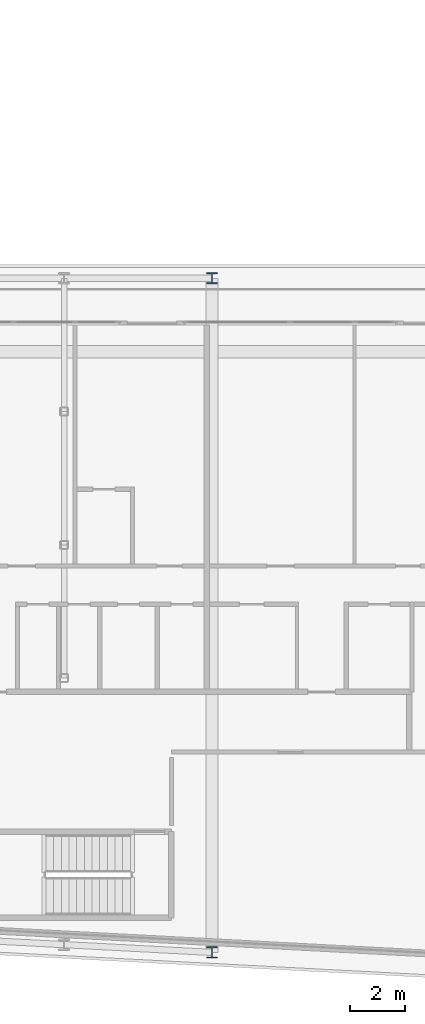
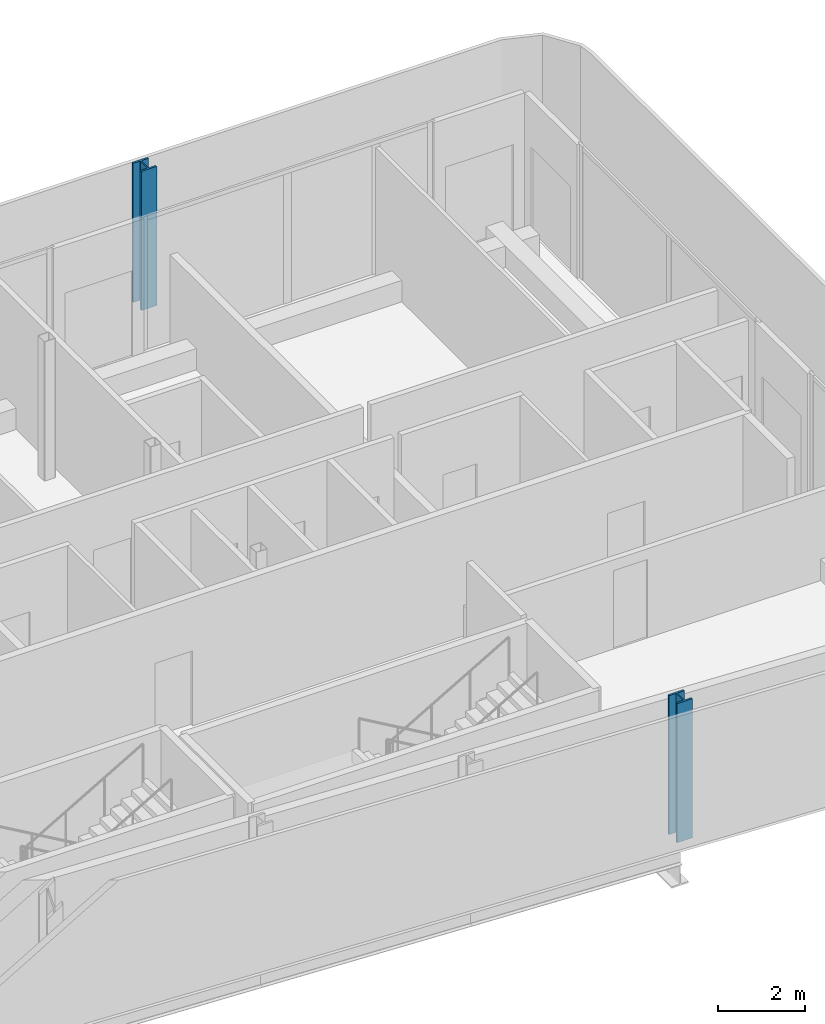
# One storey, part 4 of 28: 2 columns.
"""IFC4 building model written with IfcOpenShell, lengths in metres."""

from ifc_helpers import new_model, si_unit, direction, frame, origin, origin_2d, place, context, subcontext, project, spatial, i_section, extrude, material, material_profile, profile_set, type_object, element, save


model = new_model("IFC4")

# Units and contexts
model_context = context("Model", 3, precision=1e-05, world=origin(), true_north=direction((0.0, 1.0)))
body_context = subcontext(model_context, "Body", "Model", "MODEL_VIEW")
ifc_project = project(units=[si_unit("LENGTHUNIT", "METRE"), si_unit("AREAUNIT", "SQUARE_METRE"), si_unit("VOLUMEUNIT", "CUBIC_METRE"), si_unit("PLANEANGLEUNIT", "RADIAN"), si_unit("MASSUNIT", "GRAM", prefix="KILO")], contexts=[model_context])

# Site, building, storey
site_placement = place(None, origin())
site = spatial("IfcSite", under=ifc_project, at=site_placement, CompositionType="ELEMENT")
building_placement = place(site_placement, origin())
building = spatial("IfcBuilding", under=site, at=building_placement, Name="Kheshtan School and Residences Tower", CompositionType="ELEMENT")
storey_placement = place(building_placement, frame((0.0, 0.0, 187.699951171875)))
storey = spatial("IfcBuildingStorey", under=building, at=storey_placement, Name="L44", CompositionType="ELEMENT", Elevation=187.699951171875)

# Columns
ifc_material = material(Name="Steel ASTM A992 Grade 50", Category="steel")
ifc_material_profile = material_profile(ifc_material, i_section(OverallWidth=0.408935546875, OverallDepth=0.425048828125, WebThickness=0.03271484375, FlangeThickness=0.052490234375, FilletRadius=0.0126953125, at=origin_2d()), Name="W360x421")
ifc_profile_set = profile_set([ifc_material_profile], Name="Steel ASTM A992 Grade 50")
column_type = type_object("IfcColumnType", Name="Column C3 W360x421 ASTM A992 Grade 50", PredefinedType="COLUMN", material=ifc_profile_set)
for number, where, z_axis, x_axis, name in (
    (1, (90.800048828125, 20.989990234375, 0.0), (0.0, 0.0, 1.0), (1.0, 0.0, 0.0), "Column C006"),
    (2, (90.800048828125, 45.60009765625, 0.0), (0.0, 0.0, 1.0), (1.0, 0.0, 0.0), "Column C068"),
):
    element("IfcColumn", number, at=place(storey_placement, frame(where, z_axis=z_axis, x_axis=x_axis)), inside=storey, type_object=column_type, Name=name, PredefinedType="COLUMN", context=body_context, shape_type="SweptSolid", body=[
        extrude(i_section(OverallWidth=0.408935546875, OverallDepth=0.425048828125, WebThickness=0.03271484375, FlangeThickness=0.052490234375, FilletRadius=0.0126953125, at=origin_2d()), origin(), (0.0, 0.0, 1.0), 3.900146484375),
    ])

save(model, "model.ifc")
